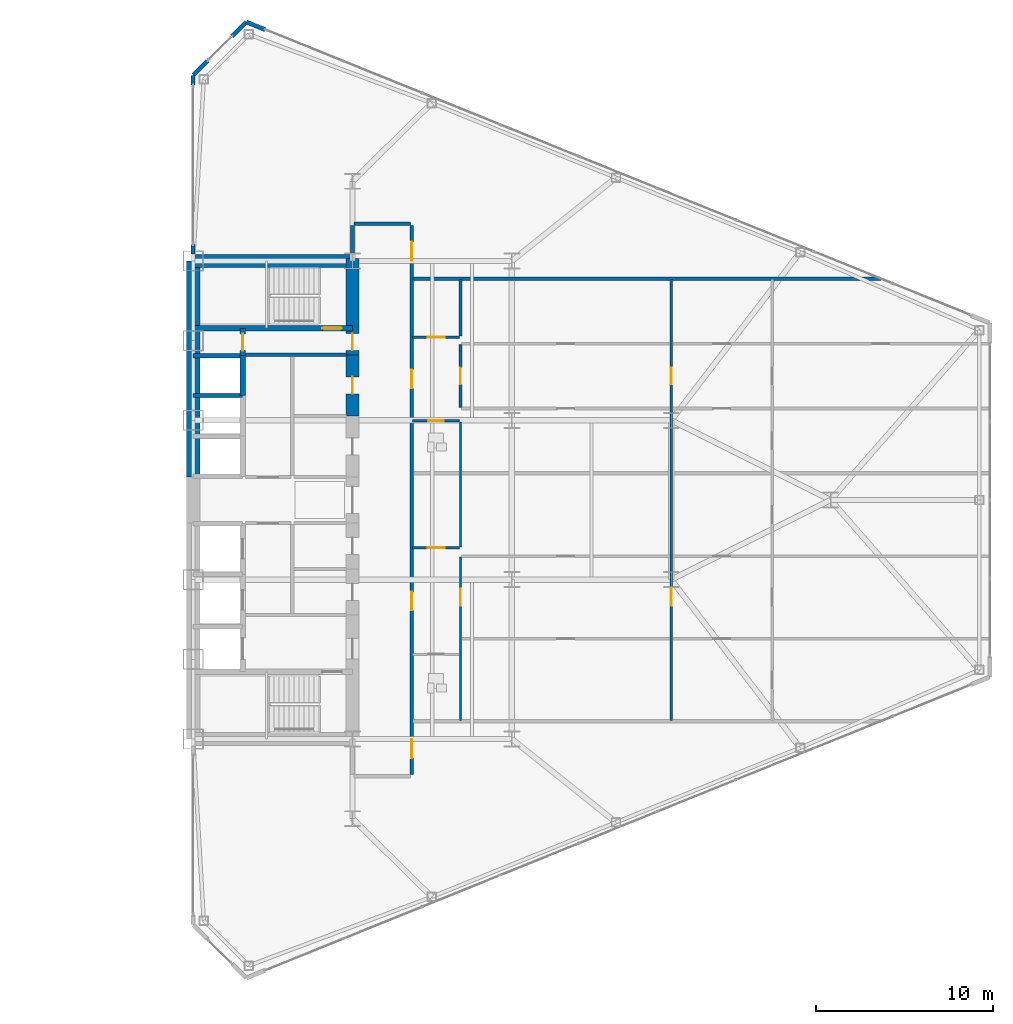
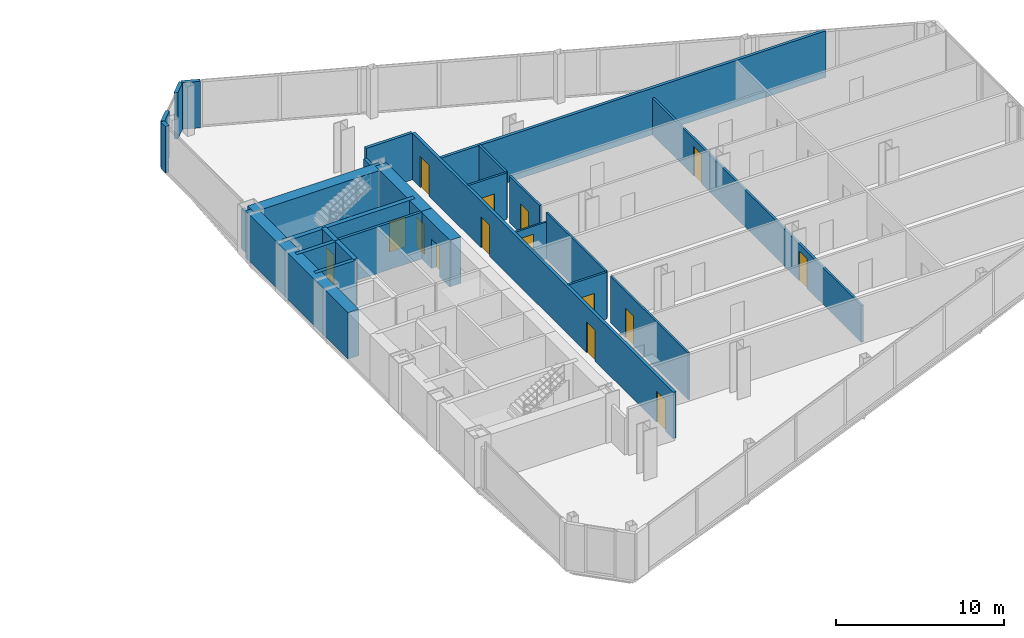
# One storey, part 21 of 25: 27 walls, 15 doors, 15 openings.
"""IFC4 building model written with IfcOpenShell, lengths in metres."""

from ifc_helpers import new_model, si_unit, direction, frame, frame_2d, origin, place, context, subcontext, project, spatial, rectangle, extrude, source, transform, mapped, material, layer, layer_set, type_object, type_shapes, element, fill, save


model = new_model("IFC4")

# Units and contexts
model_context = context("Model", 3, precision=1e-05, world=origin(), true_north=direction((0.0, 1.0)))
body_context = subcontext(model_context, "Body", "Model", "MODEL_VIEW")
ifc_project = project(units=[si_unit("LENGTHUNIT", "METRE"), si_unit("AREAUNIT", "SQUARE_METRE"), si_unit("VOLUMEUNIT", "CUBIC_METRE"), si_unit("PLANEANGLEUNIT", "RADIAN"), si_unit("MASSUNIT", "GRAM", prefix="KILO")], contexts=[model_context])

# Site, building, storey
site_placement = place(None, origin())
site = spatial("IfcSite", under=ifc_project, at=site_placement, CompositionType="ELEMENT")
building_placement = place(site_placement, origin())
building = spatial("IfcBuilding", under=site, at=building_placement, Name="Seokmaru Belvedere", CompositionType="ELEMENT")
storey_placement = place(building_placement, frame((0.0, 0.0, 51.300048828125)))
storey = spatial("IfcBuildingStorey", under=building, at=storey_placement, Name="L13", CompositionType="ELEMENT", Elevation=51.300048828125)

# Wall, opening, door
ifc_material_1 = material(Name="Fire-Rated Gypsum Shaftwall")
ifc_layer_1 = layer(ifc_material_1, 0.14990234375)
ifc_layer_set_1 = layer_set([ifc_layer_1], Name="Fire-Rated Gypsum Shaftwall")
wall_type_1 = type_object("IfcWallType", Name="Apartment Fire-Acoustic Room Partition 150", PredefinedType="PARTITIONING", material=ifc_layer_set_1)
wall_1_placement = place(storey_placement, frame((39.89990234375, -2.699951171875, 0.0), z_axis=(0.0, 0.0, 1.0), x_axis=(1.0, 0.0, 0.0)))
wall_1 = element("IfcWall", 1, at=wall_1_placement, inside=storey, type_object=wall_type_1, Name="L13 Interior Partition 016", PredefinedType="PARTITIONING", context=body_context, shape_type="SweptSolid", body=[
    extrude(rectangle(XDim=2.650146484375, YDim=0.14990234375, at=frame_2d((1.3251953125, 0.0))), origin(), (0.0, 0.0, 1.0), 3.3798828125),
])
opening_1_placement = place(wall_1_placement, frame((0.85009765625, 0.0, 0.0)))
opening_1 = element("IfcOpeningElement", 2, at=opening_1_placement, cuts=wall_1, Name="Opening D05", PredefinedType="OPENING", context=body_context, shape_type="SweptSolid", body=[
    extrude(rectangle(XDim=0.949951171875, YDim=2.14990234375, at=frame_2d((0.47509765625, 1.074951171875))), frame((0.0, 0.0849609375, 0.0), z_axis=(0.0, -1.0, 0.0), x_axis=(1.0, 0.0, 0.0)), (0.0, 0.0, 1.0), 0.169921875),
])
ifc_material_2 = material(Name="Engineered White Oak Timber", Category="wood")
door_type_1 = type_object("IfcDoorType", Name="Apartment Interior Fire-Rated Oak Door 950x2150", OperationType="NOTDEFINED", PredefinedType="DOOR", material=ifc_material_2)
shared_shape_1 = source(origin(), body_context, "Body", "SweptSolid", [
    extrude(rectangle(XDim=0.949951171875, YDim=2.14990234375, at=frame_2d((0.47509765625, 1.074951171875))), frame((0.0, 0.02490234375, 0.0), z_axis=(0.0, -1.0, 0.0), x_axis=(1.0, 0.0, 0.0)), (0.0, 0.0, 1.0), 0.050048828125),
])
type_shapes(door_type_1, [shared_shape_1])
door_1_placement = place(opening_1_placement, origin())
door_1 = element("IfcDoor", 3, at=door_1_placement, inside=storey, type_object=door_type_1, Name="L13 Interior Door 040", OperationType="SINGLE_SWING_RIGHT", OverallHeight=2.14990234375, OverallWidth=0.949951171875, PredefinedType="DOOR", context=body_context, shape_type="MappedRepresentation", body=[
    mapped(shared_shape_1, transform((0.0, 0.0, 0.0), scale=1.0)),
])
fill(opening_1, door_1)

wall_2_placement = place(storey_placement, frame((39.89990234375, 9.199951171875, 0.0), z_axis=(0.0, 0.0, 1.0), x_axis=(1.0, 0.0, 0.0)))
wall_2 = element("IfcWall", 4, at=wall_2_placement, inside=storey, type_object=wall_type_1, Name="L13 Interior Partition 025", PredefinedType="PARTITIONING", context=body_context, shape_type="SweptSolid", body=[
    extrude(rectangle(XDim=2.650146484375, YDim=0.14990234375, at=frame_2d((1.3251953125, 0.0))), origin(), (0.0, 0.0, 1.0), 3.3798828125),
])
opening_2_placement = place(wall_2_placement, frame((0.85009765625, 0.0, 0.0)))
opening_2 = element("IfcOpeningElement", 5, at=opening_2_placement, cuts=wall_2, Name="Opening D05", PredefinedType="OPENING", context=body_context, shape_type="SweptSolid", body=[
    extrude(rectangle(XDim=0.949951171875, YDim=2.14990234375, at=frame_2d((0.47509765625, 1.074951171875))), frame((0.0, 0.0849609375, 0.0), z_axis=(0.0, -1.0, 0.0), x_axis=(1.0, 0.0, 0.0)), (0.0, 0.0, 1.0), 0.169921875),
])
door_2_placement = place(opening_2_placement, origin())
door_2 = element("IfcDoor", 6, at=door_2_placement, inside=storey, type_object=door_type_1, Name="L13 Interior Door 052", OperationType="SINGLE_SWING_RIGHT", OverallHeight=2.14990234375, OverallWidth=0.949951171875, PredefinedType="DOOR", context=body_context, shape_type="MappedRepresentation", body=[
    mapped(shared_shape_1, transform((0.0, 0.0, 0.0), scale=1.0)),
])
fill(opening_2, door_2)

wall_3_placement = place(storey_placement, frame((42.60009765625, 5.217041015625, 0.0), z_axis=(0.0, 0.0, 1.0), x_axis=(0.0, 1.0, 0.0)))
wall_3 = element("IfcWall", 7, at=wall_3_placement, inside=storey, type_object=wall_type_1, Name="L13 Interior Partition 048", PredefinedType="PARTITIONING", context=body_context, shape_type="SweptSolid", body=[
    extrude(rectangle(XDim=3.56591796875, YDim=0.14990234375, at=frame_2d((1.782958984375, 0.0))), origin(), (0.0, 0.0, 1.0), 3.3798828125),
])
opening_3_placement = place(wall_3_placement, frame((1.30810546875, 0.0, 0.0)))
opening_3 = element("IfcOpeningElement", 8, at=opening_3_placement, cuts=wall_3, Name="Opening D05", PredefinedType="OPENING", context=body_context, shape_type="SweptSolid", body=[
    extrude(rectangle(XDim=0.949951171875, YDim=2.14990234375, at=frame_2d((0.47509765625, 1.074951171875))), frame((0.0, 0.0849609375, 0.0), z_axis=(0.0, -1.0, 0.0), x_axis=(1.0, 0.0, 0.0)), (0.0, 0.0, 1.0), 0.169921875),
])
door_3_placement = place(opening_3_placement, origin())
door_3 = element("IfcDoor", 9, at=door_3_placement, inside=storey, type_object=door_type_1, Name="L13 Interior Door 053", OperationType="SINGLE_SWING_LEFT", OverallHeight=2.14990234375, OverallWidth=0.949951171875, PredefinedType="DOOR", context=body_context, shape_type="MappedRepresentation", body=[
    mapped(shared_shape_1, transform((0.0, 0.0, 0.0), scale=1.0)),
])
fill(opening_3, door_3)

# Wall
wall_4_placement = place(storey_placement, frame((42.60009765625, 9.251953125, 0.0), z_axis=(0.0, 0.0, 1.0), x_axis=(0.0, 1.0, 0.0)))
element("IfcWall", 10, at=wall_4_placement, inside=storey, type_object=wall_type_1, Name="L13 Interior Partition 049", PredefinedType="PARTITIONING", context=body_context, shape_type="SweptSolid", body=[
    extrude(rectangle(XDim=3.197998046875, YDim=0.14990234375, at=frame_2d((1.59912109375, 0.0))), origin(), (0.0, 0.0, 1.0), 3.3798828125),
])

# Wall, openings, doors
wall_5_placement = place(storey_placement, frame((54.5, -12.449951171875, 0.0), z_axis=(0.0, 0.0, 1.0), x_axis=(0.0, 1.0, 0.0)))
wall_5 = element("IfcWall", 11, at=wall_5_placement, inside=storey, type_object=wall_type_1, Name="L13 Interior Partition 050", PredefinedType="PARTITIONING", context=body_context, shape_type="SweptSolid", body=[
    extrude(rectangle(XDim=24.89990234375, YDim=0.14990234375, at=frame_2d((12.449951171875, 0.0))), origin(), (0.0, 0.0, 1.0), 2.679931640625),
])
opening_4_placement = place(wall_5_placement, frame((6.47509765625, 0.0, 0.0)))
opening_4 = element("IfcOpeningElement", 12, at=opening_4_placement, cuts=wall_5, Name="Opening D05", PredefinedType="OPENING", context=body_context, shape_type="SweptSolid", body=[
    extrude(rectangle(XDim=0.949951171875, YDim=2.14990234375, at=frame_2d((0.47509765625, 1.074951171875))), frame((0.0, 0.0849609375, 0.0), z_axis=(0.0, -1.0, 0.0), x_axis=(1.0, 0.0, 0.0)), (0.0, 0.0, 1.0), 0.169921875),
])
opening_5_placement = place(wall_5_placement, frame((18.97509765625, 0.0, 0.0)))
opening_5 = element("IfcOpeningElement", 13, at=opening_5_placement, cuts=wall_5, Name="Opening D05", PredefinedType="OPENING", context=body_context, shape_type="SweptSolid", body=[
    extrude(rectangle(XDim=0.949951171875, YDim=2.14990234375, at=frame_2d((0.47509765625, 1.074951171875))), frame((0.0, 0.0849609375, 0.0), z_axis=(0.0, -1.0, 0.0), x_axis=(1.0, 0.0, 0.0)), (0.0, 0.0, 1.0), 0.169921875),
])
door_4_placement = place(opening_4_placement, origin())
door_4 = element("IfcDoor", 14, at=door_4_placement, inside=storey, type_object=door_type_1, Name="L13 Interior Door 042", OperationType="SINGLE_SWING_RIGHT", OverallHeight=2.14990234375, OverallWidth=0.949951171875, PredefinedType="DOOR", context=body_context, shape_type="MappedRepresentation", body=[
    mapped(shared_shape_1, transform((0.0, 0.0, 0.0), scale=1.0)),
])
fill(opening_4, door_4)
door_5_placement = place(opening_5_placement, origin())
door_5 = element("IfcDoor", 15, at=door_5_placement, inside=storey, type_object=door_type_1, Name="L13 Interior Door 054", OperationType="SINGLE_SWING_RIGHT", OverallHeight=2.14990234375, OverallWidth=0.949951171875, PredefinedType="DOOR", context=body_context, shape_type="MappedRepresentation", body=[
    mapped(shared_shape_1, transform((0.0, 0.0, 0.0), scale=1.0)),
])
fill(opening_5, door_5)

# Walls
ifc_layer_2 = layer(ifc_material_1, 0.179931640625)
ifc_layer_set_2 = layer_set([ifc_layer_2], Name="Fire-Rated Gypsum Shaftwall")
wall_type_2 = type_object("IfcWallType", Name="Core Service Fire Partition 180", PredefinedType="PARTITIONING", material=ifc_layer_set_2)
wall_6_placement = place(storey_placement, frame((30.449951171875, 8.199951171875, 0.0), z_axis=(0.0, 0.0, 1.0), x_axis=(1.0, 0.0, 0.0)))
element("IfcWall", 16, at=wall_6_placement, inside=storey, type_object=wall_type_2, Name="L13 East Smokeproof Vestibule Partition", PredefinedType="PARTITIONING", context=body_context, shape_type="SweptSolid", body=[
    extrude(rectangle(XDim=5.699951171875, YDim=0.179931640625, at=frame_2d((2.85009765625, 0.0))), origin(), (0.0, 0.0, 1.0), 3.3798828125),
])
ifc_material_3 = material(Name="Concrete C50 (50 MPa)", Category="concrete")
ifc_layer_3 = layer(ifc_material_3, 0.25)
ifc_layer_set_3 = layer_set([ifc_layer_3], Name="Concrete C50 (50 MPa)")
wall_type_3 = type_object("IfcWallType", Name="Hoistway Transverse Concrete Divider Wall 250", PredefinedType="SHEAR", material=ifc_layer_set_3)
for number, where, z_axis, x_axis, name in (
    (17, (27.5, 5.89990234375, 0.0), (0.0, 0.0, 1.0), (1.0, 0.0, 0.0), "L13 East Hoistway Divider Core Wall 6"),
    (18, (27.5, 8.14990234375, 0.0), (0.0, 0.0, 1.0), (1.0, 0.0, 0.0), "L13 East Hoistway Divider Core Wall 7"),
):
    element("IfcWall", number, at=place(storey_placement, frame(where, z_axis=z_axis, x_axis=x_axis)), inside=storey, type_object=wall_type_3, Name=name, PredefinedType="SHEAR", context=body_context, shape_type="SweptSolid", body=[
        extrude(rectangle(XDim=2.800048828125, YDim=0.25, at=frame_2d((1.39990234375, 0.0))), origin(), (0.0, 0.0, 1.0), 3.3798828125),
    ])
ifc_layer_4 = layer(ifc_material_1, 0.199951171875)
ifc_layer_set_4 = layer_set([ifc_layer_4], Name="Fire-Rated Gypsum Shaftwall")
wall_type_4 = type_object("IfcWallType", Name="Inter-Tenancy Fire Compartment Partition 200", PredefinedType="PARTITIONING", material=ifc_layer_set_4)
wall_7_placement = place(storey_placement, frame((39.929931640625, 12.5, 0.0), z_axis=(0.0, 0.0, 1.0), x_axis=(1.0, 0.0, 0.0)))
element("IfcWall", 19, at=wall_7_placement, inside=storey, type_object=wall_type_4, Name="L13 Interior Partition 028", PredefinedType="PARTITIONING", context=body_context, shape_type="SweptSolid", body=[
    extrude(rectangle(XDim=26.406982421875, YDim=0.199951171875, at=frame_2d((13.20361328125, 0.0))), origin(), (0.0, 0.0, 1.0), 3.3798828125),
])
wall_8_placement = place(storey_placement, frame((36.5849609375, 15.60009765625, 0.0), z_axis=(0.0, 0.0, 1.0), x_axis=(1.0, 0.0, 0.0)))
element("IfcWall", 20, at=wall_8_placement, inside=storey, type_object=wall_type_4, Name="L13 Interior Partition 030", PredefinedType="PARTITIONING", context=body_context, shape_type="SweptSolid", body=[
    extrude(rectangle(XDim=3.179931640625, YDim=0.199951171875, at=frame_2d((1.58984375, 0.0))), origin(), (0.0, 0.0, 1.0), 3.3798828125),
])
wall_9_placement = place(storey_placement, frame((36.5, 13.8798828125, 0.0), z_axis=(0.0, 0.0, 1.0), x_axis=(0.0, 1.0, 0.0)))
element("IfcWall", 21, at=wall_9_placement, inside=storey, type_object=wall_type_4, Name="L13 Interior Partition 044", PredefinedType="PARTITIONING", context=body_context, shape_type="SweptSolid", body=[
    extrude(rectangle(XDim=1.635009765625, YDim=0.199951171875, at=frame_2d((0.8173828125, 0.0))), origin(), (0.0, 0.0, 1.0), 2.679931640625),
])

# Wall, openings, doors
wall_10_placement = place(storey_placement, frame((39.85009765625, -15.514892578125, 0.0), z_axis=(0.0, 0.0, 1.0), x_axis=(0.0, 1.0, 0.0)))
wall_10 = element("IfcWall", 22, at=wall_10_placement, inside=storey, type_object=wall_type_4, Name="L13 Interior Partition 045", PredefinedType="PARTITIONING", context=body_context, shape_type="SweptSolid", body=[
    extrude(rectangle(XDim=31.02978515625, YDim=0.199951171875, at=frame_2d((15.514892578125, 0.0))), origin(), (0.0, 0.0, 1.0), 3.3798828125),
])
opening_6_placement = place(wall_10_placement, frame((0.93994140625, 0.0, 0.0)))
opening_6 = element("IfcOpeningElement", 23, at=opening_6_placement, cuts=wall_10, Name="Opening D03", PredefinedType="OPENING", context=body_context, shape_type="SweptSolid", body=[
    extrude(rectangle(XDim=1.050048828125, YDim=2.25, at=frame_2d((0.52490234375, 1.125))), frame((0.0, 0.10986328125, 0.0), z_axis=(0.0, -1.0, 0.0), x_axis=(1.0, 0.0, 0.0)), (0.0, 0.0, 1.0), 0.219970703125),
])
opening_7_placement = place(wall_10_placement, frame((9.280029296875, 0.0, 0.0)))
opening_7 = element("IfcOpeningElement", 24, at=opening_7_placement, cuts=wall_10, Name="Opening D03", PredefinedType="OPENING", context=body_context, shape_type="SweptSolid", body=[
    extrude(rectangle(XDim=1.050048828125, YDim=2.25, at=frame_2d((0.52490234375, 1.125))), frame((0.0, 0.10986328125, 0.0), z_axis=(0.0, -1.0, 0.0), x_axis=(1.0, 0.0, 0.0)), (0.0, 0.0, 1.0), 0.219970703125),
])
opening_8_placement = place(wall_10_placement, frame((21.824951171875, 0.0, 0.0)))
opening_8 = element("IfcOpeningElement", 25, at=opening_8_placement, cuts=wall_10, Name="Opening D03", PredefinedType="OPENING", context=body_context, shape_type="SweptSolid", body=[
    extrude(rectangle(XDim=1.050048828125, YDim=2.25, at=frame_2d((0.52490234375, 1.125))), frame((0.0, 0.10986328125, 0.0), z_axis=(0.0, -1.0, 0.0), x_axis=(1.0, 0.0, 0.0)), (0.0, 0.0, 1.0), 0.219970703125),
])
opening_9_placement = place(wall_10_placement, frame((29.0400390625, 0.0, 0.0)))
opening_9 = element("IfcOpeningElement", 26, at=opening_9_placement, cuts=wall_10, Name="Opening D03", PredefinedType="OPENING", context=body_context, shape_type="SweptSolid", body=[
    extrude(rectangle(XDim=1.050048828125, YDim=2.25, at=frame_2d((0.52490234375, 1.125))), frame((0.0, 0.10986328125, 0.0), z_axis=(0.0, -1.0, 0.0), x_axis=(1.0, 0.0, 0.0)), (0.0, 0.0, 1.0), 0.219970703125),
])
ifc_material_4 = material(Name="Fire-Rated Steel Leaf", Category="steel")
door_type_2 = type_object("IfcDoorType", Name="Apartment Entrance Fire Door 1050x2250", OperationType="NOTDEFINED", PredefinedType="DOOR", material=ifc_material_4)
shared_shape_2 = source(origin(), body_context, "Body", "SweptSolid", [
    extrude(rectangle(XDim=1.050048828125, YDim=2.25, at=frame_2d((0.52490234375, 1.125))), frame((0.0, 0.02490234375, 0.0), z_axis=(0.0, -1.0, 0.0), x_axis=(1.0, 0.0, 0.0)), (0.0, 0.0, 1.0), 0.050048828125),
])
type_shapes(door_type_2, [shared_shape_2])
door_6_placement = place(opening_6_placement, origin())
door_6 = element("IfcDoor", 27, at=door_6_placement, inside=storey, type_object=door_type_2, Name="L13 Interior Door 037", OperationType="SINGLE_SWING_LEFT", OverallHeight=2.25, OverallWidth=1.050048828125, PredefinedType="DOOR", context=body_context, shape_type="MappedRepresentation", body=[
    mapped(shared_shape_2, transform((0.0, 0.0, 0.0), scale=1.0)),
])
fill(opening_6, door_6)
door_7_placement = place(opening_7_placement, origin())
door_7 = element("IfcDoor", 28, at=door_7_placement, inside=storey, type_object=door_type_2, Name="L13 Interior Door 038", OperationType="SINGLE_SWING_RIGHT", OverallHeight=2.25, OverallWidth=1.050048828125, PredefinedType="DOOR", context=body_context, shape_type="MappedRepresentation", body=[
    mapped(shared_shape_2, transform((0.0, 0.0, 0.0), scale=1.0)),
])
fill(opening_7, door_7)
door_8_placement = place(opening_8_placement, origin())
door_8 = element("IfcDoor", 29, at=door_8_placement, inside=storey, type_object=door_type_2, Name="L13 Interior Door 050", OperationType="SINGLE_SWING_LEFT", OverallHeight=2.25, OverallWidth=1.050048828125, PredefinedType="DOOR", context=body_context, shape_type="MappedRepresentation", body=[
    mapped(shared_shape_2, transform((0.0, 0.0, 0.0), scale=1.0)),
])
fill(opening_8, door_8)
door_9_placement = place(opening_9_placement, origin())
door_9 = element("IfcDoor", 30, at=door_9_placement, inside=storey, type_object=door_type_2, Name="L13 Interior Door 062", OperationType="SINGLE_SWING_RIGHT", OverallHeight=2.25, OverallWidth=1.050048828125, PredefinedType="DOOR", context=body_context, shape_type="MappedRepresentation", body=[
    mapped(shared_shape_2, transform((0.0, 0.0, 0.0), scale=1.0)),
])
fill(opening_9, door_9)

# Wall, opening, door
ifc_layer_5 = layer(ifc_material_3, 0.300048828125)
ifc_layer_set_5 = layer_set([ifc_layer_5], Name="Concrete C50 (50 MPa)")
wall_type_5 = type_object("IfcWallType", Name="Internal Core Stair and Hoistway Wall 300", PredefinedType="SHEAR", material=ifc_layer_set_5)
wall_11_placement = place(storey_placement, frame((27.5, 9.699951171875, 0.0), z_axis=(0.0, 0.0, 1.0), x_axis=(1.0, 0.0, 0.0)))
wall_11 = element("IfcWall", 31, at=wall_11_placement, inside=storey, type_object=wall_type_5, Name="L13 East Stair ST-2 Enclosure Wall", PredefinedType="SHEAR", context=body_context, shape_type="SweptSolid", body=[
    extrude(rectangle(XDim=9.0, YDim=0.300048828125, at=frame_2d((4.5, 0.0))), origin(), (0.0, 0.0, 1.0), 3.3798828125),
])
opening_10_placement = place(wall_11_placement, frame((7.300048828125, 0.0, 0.0)))
opening_10 = element("IfcOpeningElement", 32, at=opening_10_placement, cuts=wall_11, Name="Opening D01", PredefinedType="OPENING", context=body_context, shape_type="SweptSolid", body=[
    extrude(rectangle(XDim=1.10009765625, YDim=2.199951171875, at=frame_2d((0.550048828125, 1.10009765625))), frame((0.0, 0.16015625, 0.0), z_axis=(0.0, -1.0, 0.0), x_axis=(1.0, 0.0, 0.0)), (0.0, 0.0, 1.0), 0.320068359375),
])
door_type_3 = type_object("IfcDoorType", Name="Special Escape Stair Smokeproof Fire Door 1100x2200", OperationType="NOTDEFINED", PredefinedType="DOOR", material=ifc_material_4)
shared_shape_3 = source(origin(), body_context, "Body", "SweptSolid", [
    extrude(rectangle(XDim=1.10009765625, YDim=2.199951171875, at=frame_2d((0.550048828125, 1.10009765625))), frame((0.0, 0.02490234375, 0.0), z_axis=(0.0, -1.0, 0.0), x_axis=(1.0, 0.0, 0.0)), (0.0, 0.0, 1.0), 0.050048828125),
])
type_shapes(door_type_3, [shared_shape_3])
door_10_placement = place(opening_10_placement, origin())
door_10 = element("IfcDoor", 33, at=door_10_placement, inside=storey, type_object=door_type_3, Name="L13 East Special Escape Stair ST-2 Door", OperationType="SINGLE_SWING_LEFT", OverallHeight=2.199951171875, OverallWidth=1.10009765625, PredefinedType="DOOR", context=body_context, shape_type="MappedRepresentation", body=[
    mapped(shared_shape_3, transform((0.0, 0.0, 0.0), scale=1.0)),
])
fill(opening_10, door_10)

# Wall
wall_12_placement = place(storey_placement, frame((30.300048828125, 5.89990234375, 0.0), z_axis=(0.0, 0.0, 1.0), x_axis=(0.0, 1.0, 0.0)))
element("IfcWall", 34, at=wall_12_placement, inside=storey, type_object=wall_type_5, Name="L13 East North Hoistway Wall OBS", PredefinedType="SHEAR", context=body_context, shape_type="SweptSolid", body=[
    extrude(rectangle(XDim=2.25, YDim=0.300048828125, at=frame_2d((1.125, 0.0))), origin(), (0.0, 0.0, 1.0), 3.3798828125),
])

# Wall, opening, door
wall_13_placement = place(storey_placement, frame((30.300048828125, 8.14990234375, 0.0), z_axis=(0.0, 0.0, 1.0), x_axis=(0.0, 1.0, 0.0)))
wall_13 = element("IfcWall", 35, at=wall_13_placement, inside=storey, type_object=wall_type_5, Name="L13 East Electrical Riser Front Wall", PredefinedType="SHEAR", context=body_context, shape_type="SweptSolid", body=[
    extrude(rectangle(XDim=1.530029296875, YDim=0.300048828125, at=frame_2d((0.76513671875, 0.0))), origin(), (0.0, 0.0, 1.0), 3.3798828125),
])
opening_11_placement = place(wall_13_placement, frame((0.284912109375, 0.0, 0.0)))
opening_11 = element("IfcOpeningElement", 36, at=opening_11_placement, cuts=wall_13, Name="Opening D04", PredefinedType="OPENING", context=body_context, shape_type="SweptSolid", body=[
    extrude(rectangle(XDim=0.949951171875, YDim=2.14990234375, at=frame_2d((0.47509765625, 1.074951171875))), frame((0.0, 0.16015625, 0.0), z_axis=(0.0, -1.0, 0.0), x_axis=(1.0, 0.0, 0.0)), (0.0, 0.0, 1.0), 0.320068359375),
])
door_type_4 = type_object("IfcDoorType", Name="Core Service Room Fire Door 950x2150", OperationType="NOTDEFINED", PredefinedType="DOOR", material=ifc_material_4)
shared_shape_4 = source(origin(), body_context, "Body", "SweptSolid", [
    extrude(rectangle(XDim=0.949951171875, YDim=2.14990234375, at=frame_2d((0.47509765625, 1.074951171875))), frame((0.0, 0.02490234375, 0.0), z_axis=(0.0, -1.0, 0.0), x_axis=(1.0, 0.0, 0.0)), (0.0, 0.0, 1.0), 0.050048828125),
])
type_shapes(door_type_4, [shared_shape_4])
door_11_placement = place(opening_11_placement, origin())
door_11 = element("IfcDoor", 37, at=door_11_placement, inside=storey, type_object=door_type_4, Name="L13 East Electrical Riser Access Door", OperationType="SINGLE_SWING_RIGHT", OverallHeight=2.14990234375, OverallWidth=0.949951171875, PredefinedType="DOOR", context=body_context, shape_type="MappedRepresentation", body=[
    mapped(shared_shape_4, transform((0.0, 0.0, 0.0), scale=1.0)),
])
fill(opening_11, door_11)

# Walls
ifc_material_5 = material(Name="Concrete C60 (60 MPa)", Category="concrete")
ifc_layer_6 = layer(ifc_material_5, 0.75)
ifc_layer_set_6 = layer_set([ifc_layer_6], Name="Concrete C60 (60 MPa)")
wall_type_6 = type_object("IfcWallType", Name="Lower Tower Reinforced Concrete Core Wall 750", PredefinedType="SHEAR", material=ifc_layer_set_6)
wall_14_placement = place(storey_placement, frame((27.5, 1.300048828125, 0.0), z_axis=(0.0, 0.0, 1.0), x_axis=(0.0, 1.0, 0.0)))
element("IfcWall", 38, at=wall_14_placement, inside=storey, type_object=wall_type_6, Name="L13 East Portal Spine Core Wall North", PredefinedType="SHEAR", context=body_context, shape_type="SweptSolid", body=[
    extrude(rectangle(XDim=12.199951171875, YDim=0.75, at=frame_2d((6.10009765625, 0.0))), origin(), (0.0, 0.0, 1.0), 3.3798828125),
])
wall_15_placement = place(storey_placement, frame((27.5, 13.5, 0.0), z_axis=(0.0, 0.0, 1.0), x_axis=(1.0, 0.0, 0.0)))
element("IfcWall", 39, at=wall_15_placement, inside=storey, type_object=wall_type_6, Name="L13 East North Core Wall", PredefinedType="SHEAR", context=body_context, shape_type="SweptSolid", body=[
    extrude(rectangle(XDim=9.0, YDim=0.75, at=frame_2d((4.5, 0.0))), origin(), (0.0, 0.0, 1.0), 3.3798828125),
])

# Wall, opening, door
wall_16_placement = place(storey_placement, frame((36.5, 8.199951171875, 0.0), z_axis=(0.0, 0.0, 1.0), x_axis=(0.0, 1.0, 0.0)))
wall_16 = element("IfcWall", 40, at=wall_16_placement, inside=storey, type_object=wall_type_6, Name="L13 East West Core Wall VST", PredefinedType="SHEAR", context=body_context, shape_type="SweptSolid", body=[
    extrude(rectangle(XDim=5.449951171875, YDim=0.75, at=frame_2d((2.72509765625, 0.0))), origin(), (0.0, 0.0, 1.0), 3.3798828125),
])
opening_12_placement = place(wall_16_placement, frame((0.2451171875, 0.0, 0.0)))
opening_12 = element("IfcOpeningElement", 41, at=opening_12_placement, cuts=wall_16, Name="Opening D04", PredefinedType="OPENING", context=body_context, shape_type="SweptSolid", body=[
    extrude(rectangle(XDim=0.949951171875, YDim=2.14990234375, at=frame_2d((0.47509765625, 1.074951171875))), frame((0.0, 0.385009765625, 0.0), z_axis=(0.0, -1.0, 0.0), x_axis=(1.0, 0.0, 0.0)), (0.0, 0.0, 1.0), 0.77001953125),
])
door_12_placement = place(opening_12_placement, origin())
door_12 = element("IfcDoor", 42, at=door_12_placement, inside=storey, type_object=door_type_4, Name="L13 East Smokeproof Vestibule Door", OperationType="SINGLE_SWING_LEFT", OverallHeight=2.14990234375, OverallWidth=0.949951171875, PredefinedType="DOOR", context=body_context, shape_type="MappedRepresentation", body=[
    mapped(shared_shape_4, transform((0.0, 0.0, 0.0), scale=1.0)),
])
fill(opening_12, door_12)

wall_17_placement = place(storey_placement, frame((36.5, 4.75, 0.0), z_axis=(0.0, 0.0, 1.0), x_axis=(0.0, 1.0, 0.0)))
wall_17 = element("IfcWall", 43, at=wall_17_placement, inside=storey, type_object=wall_type_6, Name="L13 East West Core Wall CS4", PredefinedType="SHEAR", context=body_context, shape_type="SweptSolid", body=[
    extrude(rectangle(XDim=3.449951171875, YDim=0.75, at=frame_2d((1.72509765625, 0.0))), origin(), (0.0, 0.0, 1.0), 3.3798828125),
])
opening_13_placement = place(wall_17_placement, frame((1.25, 0.0, 0.0)))
opening_13 = element("IfcOpeningElement", 44, at=opening_13_placement, cuts=wall_17, Name="Opening D04", PredefinedType="OPENING", context=body_context, shape_type="SweptSolid", body=[
    extrude(rectangle(XDim=0.949951171875, YDim=2.14990234375, at=frame_2d((0.47509765625, 1.074951171875))), frame((0.0, 0.385009765625, 0.0), z_axis=(0.0, -1.0, 0.0), x_axis=(1.0, 0.0, 0.0)), (0.0, 0.0, 1.0), 0.77001953125),
])
door_13_placement = place(opening_13_placement, origin())
door_13 = element("IfcDoor", 45, at=door_13_placement, inside=storey, type_object=door_type_4, Name="L13 East Core Service Room Door 4", OperationType="SINGLE_SWING_LEFT", OverallHeight=2.14990234375, OverallWidth=0.949951171875, PredefinedType="DOOR", context=body_context, shape_type="MappedRepresentation", body=[
    mapped(shared_shape_4, transform((0.0, 0.0, 0.0), scale=1.0)),
])
fill(opening_13, door_13)

ifc_layer_7 = layer(ifc_material_1, 0.1298828125)
ifc_layer_set_7 = layer_set([ifc_layer_7], Name="Fire-Rated Gypsum Shaftwall")
wall_type_7 = type_object("IfcWallType", Name="Moisture-Resistant Fire-Rated Bathroom Partition 130", PredefinedType="PARTITIONING", material=ifc_layer_set_7)
wall_18_placement = place(storey_placement, frame((39.89990234375, 4.469970703125, 0.0), z_axis=(0.0, 0.0, 1.0), x_axis=(1.0, 0.0, 0.0)))
wall_18 = element("IfcWall", 46, at=wall_18_placement, inside=storey, type_object=wall_type_7, Name="L13 Interior Partition 020", PredefinedType="PARTITIONING", context=body_context, shape_type="SweptSolid", body=[
    extrude(rectangle(XDim=2.650146484375, YDim=0.1298828125, at=frame_2d((1.3251953125, 0.0))), origin(), (0.0, 0.0, 1.0), 2.679931640625),
])
opening_14_placement = place(wall_18_placement, frame((0.885009765625, 0.0, 0.0)))
opening_14 = element("IfcOpeningElement", 47, at=opening_14_placement, cuts=wall_18, Name="Opening D06", PredefinedType="OPENING", context=body_context, shape_type="SweptSolid", body=[
    extrude(rectangle(XDim=0.8798828125, YDim=2.10009765625, at=frame_2d((0.43994140625, 1.050048828125))), frame((0.0, 0.074951171875, 0.0), z_axis=(0.0, -1.0, 0.0), x_axis=(1.0, 0.0, 0.0)), (0.0, 0.0, 1.0), 0.14990234375),
])
door_type_5 = type_object("IfcDoorType", Name="Bathroom and Restroom Fire-Rated Door 880x2100", OperationType="NOTDEFINED", PredefinedType="DOOR", material=ifc_material_2)
shared_shape_5 = source(origin(), body_context, "Body", "SweptSolid", [
    extrude(rectangle(XDim=0.8798828125, YDim=2.10009765625, at=frame_2d((0.43994140625, 1.050048828125))), frame((0.0, 0.02490234375, 0.0), z_axis=(0.0, -1.0, 0.0), x_axis=(1.0, 0.0, 0.0)), (0.0, 0.0, 1.0), 0.050048828125),
])
type_shapes(door_type_5, [shared_shape_5])
door_14_placement = place(opening_14_placement, origin())
door_14 = element("IfcDoor", 48, at=door_14_placement, inside=storey, type_object=door_type_5, Name="L13 Interior Door 051", OperationType="SINGLE_SWING_RIGHT", OverallHeight=2.10009765625, OverallWidth=0.8798828125, PredefinedType="DOOR", context=body_context, shape_type="MappedRepresentation", body=[
    mapped(shared_shape_5, transform((0.0, 0.0, 0.0), scale=1.0)),
])
fill(opening_14, door_14)

wall_19_placement = place(storey_placement, frame((42.60009765625, -12.449951171875, 0.0), z_axis=(0.0, 0.0, 1.0), x_axis=(0.0, 1.0, 0.0)))
wall_19 = element("IfcWall", 49, at=wall_19_placement, inside=storey, type_object=wall_type_7, Name="L13 Interior Partition 046", PredefinedType="PARTITIONING", context=body_context, shape_type="SweptSolid", body=[
    extrude(rectangle(XDim=9.23291015625, YDim=0.1298828125, at=frame_2d((4.616455078125, 0.0))), origin(), (0.0, 0.0, 1.0), 3.3798828125),
])
opening_15_placement = place(wall_19_placement, frame((6.47509765625, 0.0, 0.0)))
opening_15 = element("IfcOpeningElement", 50, at=opening_15_placement, cuts=wall_19, Name="Opening D05", PredefinedType="OPENING", context=body_context, shape_type="SweptSolid", body=[
    extrude(rectangle(XDim=0.949951171875, YDim=2.14990234375, at=frame_2d((0.47509765625, 1.074951171875))), frame((0.0, 0.074951171875, 0.0), z_axis=(0.0, -1.0, 0.0), x_axis=(1.0, 0.0, 0.0)), (0.0, 0.0, 1.0), 0.14990234375),
])
door_15_placement = place(opening_15_placement, origin())
door_15 = element("IfcDoor", 51, at=door_15_placement, inside=storey, type_object=door_type_1, Name="L13 Interior Door 041", OperationType="SINGLE_SWING_LEFT", OverallHeight=2.14990234375, OverallWidth=0.949951171875, PredefinedType="DOOR", context=body_context, shape_type="MappedRepresentation", body=[
    mapped(shared_shape_1, transform((0.0, 0.0, 0.0), scale=1.0)),
])
fill(opening_15, door_15)

# Walls
wall_20_placement = place(storey_placement, frame((42.60009765625, -2.64794921875, 0.0), z_axis=(0.0, 0.0, 1.0), x_axis=(0.0, 1.0, 0.0)))
element("IfcWall", 52, at=wall_20_placement, inside=storey, type_object=wall_type_7, Name="L13 Interior Partition 047", PredefinedType="PARTITIONING", context=body_context, shape_type="SweptSolid", body=[
    extrude(rectangle(XDim=7.06591796875, YDim=0.1298828125, at=frame_2d((3.532958984375, 0.0))), origin(), (0.0, 0.0, 1.0), 3.3798828125),
])
ifc_material_6 = material(Name="Anodised Bronze Aluminium", Category="aluminium")
ifc_layer_8 = layer(ifc_material_6, 0.239990234375)
ifc_layer_set_8 = layer_set([ifc_layer_8], Name="Anodised Bronze Aluminium")
wall_type_8 = type_object("IfcWallType", Name="Tower Corner Spandrel Closure Wall 240", PredefinedType="SOLIDWALL", material=ifc_layer_set_8)
wall_21_placement = place(storey_placement, frame((31.56591796875, 26.568603515625, 0.0), z_axis=(0.0, 0.0, 1.0), x_axis=(-0.927007103665, 0.375043770452, 0.0)))
element("IfcWall", 53, at=wall_21_placement, inside=storey, type_object=wall_type_8, Name="L13 E Corner Closure Pier 3B", PredefinedType="SOLIDWALL", context=body_context, shape_type="SweptSolid", body=[
    extrude(rectangle(XDim=1.139892578125, YDim=0.239990234375, at=frame_2d((0.56982421875, 0.0))), origin(), (0.0, 0.0, 1.0), 3.3798828125),
])
for number, where, z_axis, x_axis, name in (
    (54, (30.492919921875, 26.992919921875, 0.0), (0.0, 0.0, 1.0), (-0.707106781187, -0.707106781187, 0.0), "L13 E Corner Closure Pier 4A"),
    (55, (28.313232421875, 24.813232421875, 0.0), (0.0, 0.0, 1.0), (-0.707106781187, -0.707106781187, 0.0), "L13 E Corner Closure Pier 4B"),
):
    element("IfcWall", number, at=place(storey_placement, frame(where, z_axis=z_axis, x_axis=x_axis)), inside=storey, type_object=wall_type_8, Name=name, PredefinedType="SOLIDWALL", context=body_context, shape_type="SweptSolid", body=[
        extrude(rectangle(XDim=1.14013671875, YDim=0.239990234375, at=frame_2d((0.570068359375, 0.0))), origin(), (0.0, 0.0, 1.0), 3.3798828125),
    ])
wall_22_placement = place(storey_placement, frame((27.5, 13.8798828125, 0.0), z_axis=(0.0, 0.0, 1.0), x_axis=(0.0, 1.0, 0.0)))
element("IfcWall", 56, at=wall_22_placement, inside=storey, type_object=wall_type_8, Name="L13 E Spine Closure Pier 2A", PredefinedType="SOLIDWALL", context=body_context, shape_type="SweptSolid", body=[
    extrude(rectangle(XDim=0.550048828125, YDim=0.239990234375, at=frame_2d((0.27490234375, 0.0))), origin(), (0.0, 0.0, 1.0), 2.8798828125),
])
wall_23_placement = place(storey_placement, frame((27.5, 23.429931640625, 0.0), z_axis=(0.0, 0.0, 1.0), x_axis=(0.0, 1.0, 0.0)))
element("IfcWall", 57, at=wall_23_placement, inside=storey, type_object=wall_type_8, Name="L13 E Spine Closure Pier 2B", PredefinedType="SOLIDWALL", context=body_context, shape_type="SweptSolid", body=[
    extrude(rectangle(XDim=0.550048828125, YDim=0.239990234375, at=frame_2d((0.27490234375, 0.0))), origin(), (0.0, 0.0, 1.0), 3.3798828125),
])

save(model, "model.ifc")
